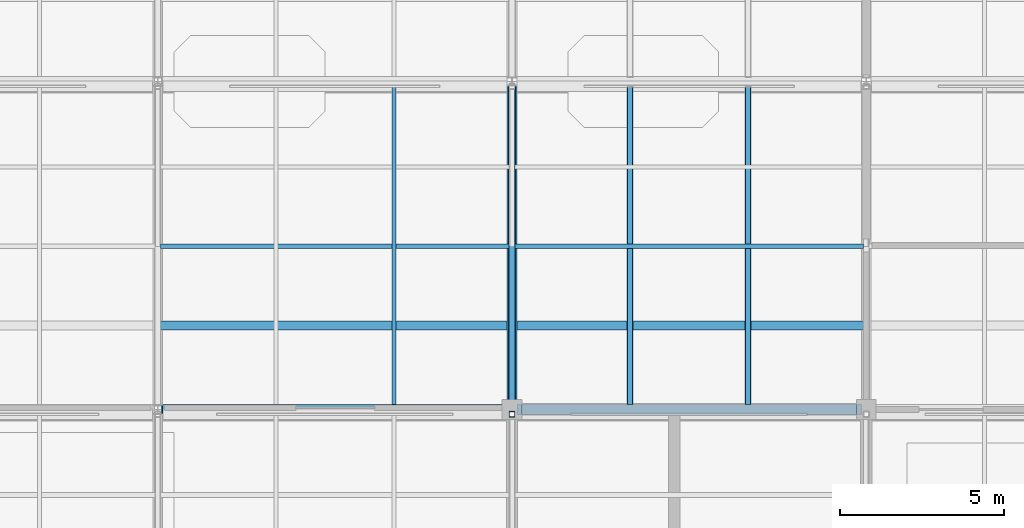
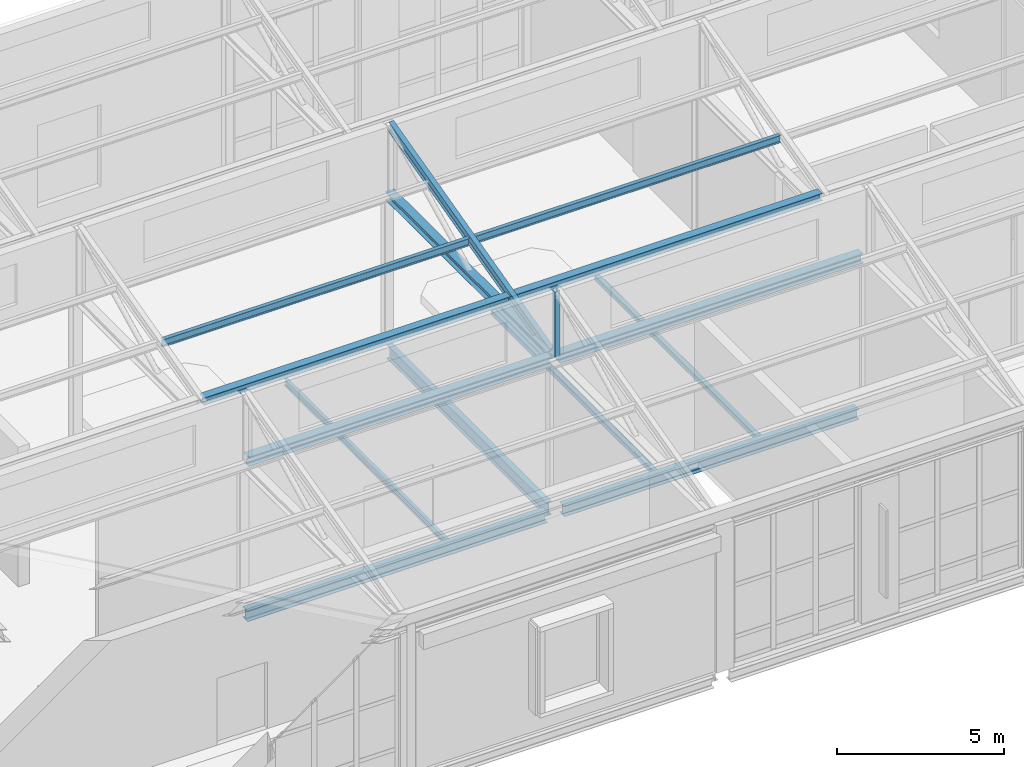
# One storey, part 19 of 49: 8 beams, 7 members.
"""IFC4 building model written with IfcOpenShell, lengths in metres."""

from ifc_helpers import new_model, si_unit, direction, frame, origin, origin_2d, place, context, subcontext, project, spatial, hollow_rectangle, i_section, extrude, material, material_profile, profile_set, type_object, element, save


model = new_model("IFC4")

# Units and contexts
model_context = context("Model", 3, precision=1e-05, world=origin(), true_north=direction((0.0, 1.0)))
body_context = subcontext(model_context, "Body", "Model", "MODEL_VIEW")
ifc_project = project(units=[si_unit("LENGTHUNIT", "METRE"), si_unit("AREAUNIT", "SQUARE_METRE"), si_unit("VOLUMEUNIT", "CUBIC_METRE"), si_unit("PLANEANGLEUNIT", "RADIAN"), si_unit("MASSUNIT", "GRAM", prefix="KILO")], contexts=[model_context])

# Site, building, storey
site_placement = place(None, origin())
site = spatial("IfcSite", under=ifc_project, at=site_placement, CompositionType="ELEMENT")
building_placement = place(site_placement, origin())
building = spatial("IfcBuilding", under=site, at=building_placement, Name="Tasgan Crest Museum", CompositionType="ELEMENT")
storey_placement = place(building_placement, frame((0.0, 0.0, 28.800048828125)))
storey = spatial("IfcBuildingStorey", under=building, at=storey_placement, Name="L05", CompositionType="ELEMENT", Elevation=28.800048828125)

# Beams
ifc_material_1 = material(Name="Steel S355J2", Category="steel")
ifc_material_profile_1 = material_profile(ifc_material_1, i_section(OverallWidth=0.300048828125, OverallDepth=0.35009765625, WebThickness=0.009521484375, FlangeThickness=0.017578125, FilletRadius=0.027099609375, at=origin_2d()), Name="HEA 360")
ifc_profile_set_1 = profile_set([ifc_material_profile_1], Name="Steel S355J2")
beam_type_1 = type_object("IfcBeamType", Name="BM-G-HEA360", PredefinedType="BEAM", material=ifc_profile_set_1)
for number, where, z_axis, x_axis, name in (
    (1, (43.35009765625, 92.0, 5.219970703125), (1.0, 0.0, 0.0), (0.0, 1.0, 0.0), "Sawtooth valley girder B2 43.2-54.0"),
    (2, (54.14990234375, 92.0, 5.219970703125), (1.0, 0.0, 0.0), (0.0, 1.0, 0.0), "Sawtooth valley girder B2 54.0-64.8"),
):
    element("IfcBeam", number, at=place(storey_placement, frame(where, z_axis=z_axis, x_axis=x_axis)), inside=storey, type_object=beam_type_1, Name=name, PredefinedType="BEAM", context=body_context, shape_type="SweptSolid", body=[
        extrude(i_section(OverallWidth=0.300048828125, OverallDepth=0.35009765625, WebThickness=0.009521484375, FlangeThickness=0.017578125, FilletRadius=0.027099609375, at=origin_2d()), origin(), (0.0, 0.0, 1.0), 10.5),
    ])
ifc_material_2 = material(Name="Steel S355J2", Category="steel")
ifc_material_profile_2 = material_profile(ifc_material_2, i_section(OverallWidth=0.300048828125, OverallDepth=0.389892578125, WebThickness=0.010986328125, FlangeThickness=0.01904296875, FilletRadius=0.027099609375, at=origin_2d()), Name="HEA 400")
ifc_profile_set_2 = profile_set([ifc_material_profile_2], Name="Steel S355J2")
beam_type_2 = type_object("IfcBeamType", Name="BM-G-HEA400", PredefinedType="BEAM", material=ifc_profile_set_2)
beam_1_placement = place(storey_placement, frame((43.305908203125, 92.0, -0.43505859375), z_axis=(1.0, 0.0, 0.0), x_axis=(0.0, 1.0, 0.0)))
element("IfcBeam", 3, at=beam_1_placement, inside=storey, type_object=beam_type_2, Name="Girder L05 K 43.2-54.0", PredefinedType="BEAM", context=body_context, shape_type="SweptSolid", body=[
    extrude(i_section(OverallWidth=0.300048828125, OverallDepth=0.389892578125, WebThickness=0.010986328125, FlangeThickness=0.01904296875, FilletRadius=0.027099609375, at=origin_2d()), origin(), (0.0, 0.0, 1.0), 10.398193359375),
])
beam_2_placement = place(storey_placement, frame((54.2958984375, 92.0, -0.43505859375), z_axis=(1.0, 0.0, 0.0), x_axis=(0.0, 1.0, 0.0)))
element("IfcBeam", 4, at=beam_2_placement, inside=storey, type_object=beam_type_2, Name="Girder L05 K 54.0-64.8", PredefinedType="BEAM", context=body_context, shape_type="SweptSolid", body=[
    extrude(i_section(OverallWidth=0.300048828125, OverallDepth=0.389892578125, WebThickness=0.010986328125, FlangeThickness=0.01904296875, FilletRadius=0.027099609375, at=origin_2d()), origin(), (0.0, 0.0, 1.0), 10.2080078125),
])
ifc_material_3 = material(Name="Steel S355J2", Category="steel")
ifc_material_profile_3 = material_profile(ifc_material_3, i_section(OverallWidth=0.199951171875, OverallDepth=0.5, WebThickness=0.01025390625, FlangeThickness=0.01611328125, FilletRadius=0.02099609375, at=origin_2d()), Name="IPE 500")
ifc_profile_set_3 = profile_set([ifc_material_profile_3], Name="Steel S355J2")
beam_type_3 = type_object("IfcBeamType", Name="BM-G-IPE500", PredefinedType="BEAM", material=ifc_profile_set_3)
beam_3_placement = place(storey_placement, frame((54.0, 92.294921875, -0.489990234375), z_axis=(0.0, 1.0, 0.0), x_axis=(-1.0, 0.0, 0.0)))
element("IfcBeam", 5, at=beam_3_placement, inside=storey, type_object=beam_type_3, Name="Beam L05 6 92.0-102.0", PredefinedType="BEAM", context=body_context, shape_type="SweptSolid", body=[
    extrude(i_section(OverallWidth=0.199951171875, OverallDepth=0.5, WebThickness=0.01025390625, FlangeThickness=0.01611328125, FilletRadius=0.02099609375, at=origin_2d()), origin(), (0.0, 0.0, 1.0), 9.55517578125),
])
ifc_material_4 = material(Name="Steel S355J2", Category="steel")
ifc_material_profile_4 = material_profile(ifc_material_4, i_section(OverallWidth=0.1201171875, OverallDepth=0.239990234375, WebThickness=0.006103515625, FlangeThickness=0.009765625, FilletRadius=0.014892578125, at=origin_2d()), Name="IPE 240")
ifc_profile_set_4 = profile_set([ifc_material_profile_4], Name="Steel S355J2")
beam_type_4 = type_object("IfcBeamType", Name="BM-J-IPE240", PredefinedType="JOIST", material=ifc_profile_set_4)
beam_4_placement = place(storey_placement, frame((50.39990234375, 92.14501953125, -0.360107421875), z_axis=(0.0, 1.0, 0.0), x_axis=(-1.0, 0.0, 0.0)))
element("IfcBeam", 6, at=beam_4_placement, inside=storey, type_object=beam_type_4, Name="Secondary joist L05 X=50.4 Y=92.0-102.0", PredefinedType="JOIST", context=body_context, shape_type="SweptSolid", body=[
    extrude(i_section(OverallWidth=0.1201171875, OverallDepth=0.239990234375, WebThickness=0.006103515625, FlangeThickness=0.009765625, FilletRadius=0.014892578125, at=origin_2d()), origin(), (0.0, 0.0, 1.0), 9.7099609375),
])
ifc_material_5 = material(Name="Steel S355J2", Category="steel")
ifc_material_profile_5 = material_profile(ifc_material_5, hollow_rectangle(XDim=0.179931640625, YDim=0.179931640625, WallThickness=0.010009765625, InnerFilletRadius=0.010009765625, OuterFilletRadius=0.02001953125, at=origin_2d()), Name="SHS 180x180x10")
ifc_profile_set_5 = profile_set([ifc_material_profile_5], Name="Steel S355J2")
beam_type_5 = type_object("IfcBeamType", Name="BM-J-SHS180", PredefinedType="JOIST", material=ifc_profile_set_5)
for number, where, z_axis, x_axis, name in (
    (7, (57.60009765625, 92.14501953125, -0.330078125), (0.0, 1.0, 0.0), (-1.0, 0.0, 0.0), "Secondary joist L05 X=57.6 Y=92.0-102.0"),
    (8, (61.199951171875, 92.14501953125, -0.330078125), (0.0, 1.0, 0.0), (-1.0, 0.0, 0.0), "Secondary joist L05 X=61.2 Y=92.0-102.0"),
):
    element("IfcBeam", number, at=place(storey_placement, frame(where, z_axis=z_axis, x_axis=x_axis)), inside=storey, type_object=beam_type_5, Name=name, PredefinedType="JOIST", context=body_context, shape_type="SweptSolid", body=[
        extrude(hollow_rectangle(XDim=0.179931640625, YDim=0.179931640625, WallThickness=0.010009765625, InnerFilletRadius=0.010009765625, OuterFilletRadius=0.02001953125, at=origin_2d()), origin(), (0.0, 0.0, 1.0), 9.7099609375),
    ])

# Members
ifc_material_6 = material(Name="Steel S355J2", Category="steel")
ifc_material_profile_6 = material_profile(ifc_material_6, i_section(OverallWidth=0.280029296875, OverallDepth=0.27001953125, WebThickness=0.008056640625, FlangeThickness=0.012939453125, FilletRadius=0.02392578125, at=origin_2d()), Name="HEA 280")
ifc_profile_set_6 = profile_set([ifc_material_profile_6], Name="Steel S355J2")
member_type_1 = type_object("IfcMemberType", Name="MEM-PUR-HEA280", PredefinedType="PURLIN", material=ifc_profile_set_6)
for number, where, z_axis, x_axis, name in (
    (9, (43.284912109375, 94.5625, 5.889892578125), (1.0, 0.0, 0.0), (0.0, 1.0, 0.0), "Sawtooth roof purlin B2 43.2-54.0 P1"),
    (10, (54.0849609375, 94.5625, 5.889892578125), (1.0, 0.0, 0.0), (0.0, 1.0, 0.0), "Sawtooth roof purlin B2 54.0-64.8 P1"),
):
    element("IfcMember", number, at=place(storey_placement, frame(where, z_axis=z_axis, x_axis=x_axis)), inside=storey, type_object=member_type_1, Name=name, PredefinedType="PURLIN", context=body_context, shape_type="SweptSolid", body=[
        extrude(i_section(OverallWidth=0.280029296875, OverallDepth=0.27001953125, WebThickness=0.008056640625, FlangeThickness=0.012939453125, FilletRadius=0.02392578125, at=origin_2d()), origin(), (0.0, 0.0, 1.0), 10.630126953125),
    ])
ifc_material_7 = material(Name="Steel S355J2", Category="steel")
ifc_material_profile_7 = material_profile(ifc_material_7, i_section(OverallWidth=0.135009765625, OverallDepth=0.27001953125, WebThickness=0.006591796875, FlangeThickness=0.01025390625, FilletRadius=0.014892578125, at=origin_2d()), Name="IPE 270")
ifc_profile_set_7 = profile_set([ifc_material_profile_7], Name="Steel S355J2")
member_type_2 = type_object("IfcMemberType", Name="MEM-PURLIN-270", PredefinedType="PURLIN", material=ifc_profile_set_7)
for number, where, z_axis, x_axis, name in (
    (11, (43.284912109375, 96.97509765625, 6.510009765625), (1.0, 0.0, 0.0), (0.0, 1.0, 0.0), "Sawtooth roof purlin B2 43.2-54.0 P2"),
    (12, (54.0849609375, 96.97509765625, 6.510009765625), (1.0, 0.0, 0.0), (0.0, 1.0, 0.0), "Sawtooth roof purlin B2 54.0-64.8 P2"),
):
    element("IfcMember", number, at=place(storey_placement, frame(where, z_axis=z_axis, x_axis=x_axis)), inside=storey, type_object=member_type_2, Name=name, PredefinedType="PURLIN", context=body_context, shape_type="SweptSolid", body=[
        extrude(i_section(OverallWidth=0.135009765625, OverallDepth=0.27001953125, WebThickness=0.006591796875, FlangeThickness=0.01025390625, FilletRadius=0.014892578125, at=origin_2d()), origin(), (0.0, 0.0, 1.0), 10.630126953125),
    ])
ifc_material_8 = material(Name="Steel S355K2", Category="steel")
ifc_material_profile_8 = material_profile(ifc_material_8, i_section(OverallWidth=0.300048828125, OverallDepth=0.31005859375, WebThickness=0.009033203125, FlangeThickness=0.015380859375, FilletRadius=0.027099609375, at=origin_2d()), Name="HEA 320")
ifc_profile_set_8 = profile_set([ifc_material_profile_8], Name="Steel S355K2")
member_type_3 = type_object("IfcMemberType", Name="TR-SAW-CHORD", PredefinedType="CHORD", material=ifc_profile_set_8)
member_1_placement = place(storey_placement, frame((54.0, 92.14990234375, 5.239990234375), z_axis=(0.0, 1.0, 0.0), x_axis=(-1.0, 0.0, 0.0)))
element("IfcMember", 13, at=member_1_placement, inside=storey, type_object=member_type_3, Name="Roof truss bottom chord B2 6", PredefinedType="CHORD", context=body_context, shape_type="SweptSolid", body=[
    extrude(i_section(OverallWidth=0.300048828125, OverallDepth=0.31005859375, WebThickness=0.009033203125, FlangeThickness=0.015380859375, FilletRadius=0.027099609375, at=origin_2d()), origin(), (0.0, 0.0, 1.0), 9.7001953125),
])
ifc_material_9 = material(Name="Steel S355K2", Category="steel")
ifc_material_profile_9 = material_profile(ifc_material_9, hollow_rectangle(XDim=0.179931640625, YDim=0.179931640625, WallThickness=0.010009765625, InnerFilletRadius=0.010009765625, OuterFilletRadius=0.02001953125, at=origin_2d()), Name="SHS 180x180x10")
ifc_profile_set_9 = profile_set([ifc_material_profile_9], Name="Steel S355K2")
member_type_4 = type_object("IfcMemberType", Name="TR-SAW-POST", PredefinedType="POST", material=ifc_profile_set_9)
member_2_placement = place(storey_placement, frame((54.0, 91.85009765625, 5.389892578125), z_axis=(0.0, 0.0, 1.0), x_axis=(1.0, 0.0, 0.0)))
element("IfcMember", 14, at=member_2_placement, inside=storey, type_object=member_type_4, Name="Roof truss north post B1 6", PredefinedType="POST", context=body_context, shape_type="SweptSolid", body=[
    extrude(hollow_rectangle(XDim=0.179931640625, YDim=0.179931640625, WallThickness=0.010009765625, InnerFilletRadius=0.010009765625, OuterFilletRadius=0.02001953125, at=origin_2d()), origin(), (0.0, 0.0, 1.0), 2.41015625),
])
ifc_material_10 = material(Name="Steel S355K2", Category="steel")
ifc_material_profile_10 = material_profile(ifc_material_10, i_section(OverallWidth=0.169921875, OverallDepth=0.360107421875, WebThickness=0.008056640625, FlangeThickness=0.0126953125, FilletRadius=0.01806640625, at=origin_2d()), Name="IPE 360")
ifc_profile_set_10 = profile_set([ifc_material_profile_10], Name="Steel S355K2")
member_type_5 = type_object("IfcMemberType", Name="TR-SAW-RAFTER", PredefinedType="RAFTER", material=ifc_profile_set_10)
member_3_placement = place(storey_placement, frame((54.0, 92.14990234375, 5.320068359375), z_axis=(0.0, 0.968528888954, 0.248901167657), x_axis=(-1.0, 0.0, 0.0)))
element("IfcMember", 15, at=member_3_placement, inside=storey, type_object=member_type_5, Name="Roof truss rafter B2 6", PredefinedType="RAFTER", context=body_context, shape_type="SweptSolid", body=[
    extrude(i_section(OverallWidth=0.169921875, OverallDepth=0.360107421875, WebThickness=0.008056640625, FlangeThickness=0.0126953125, FilletRadius=0.01806640625, at=origin_2d()), origin(), (0.0, 0.0, 1.0), 9.963623046875),
])

save(model, "model.ifc")
